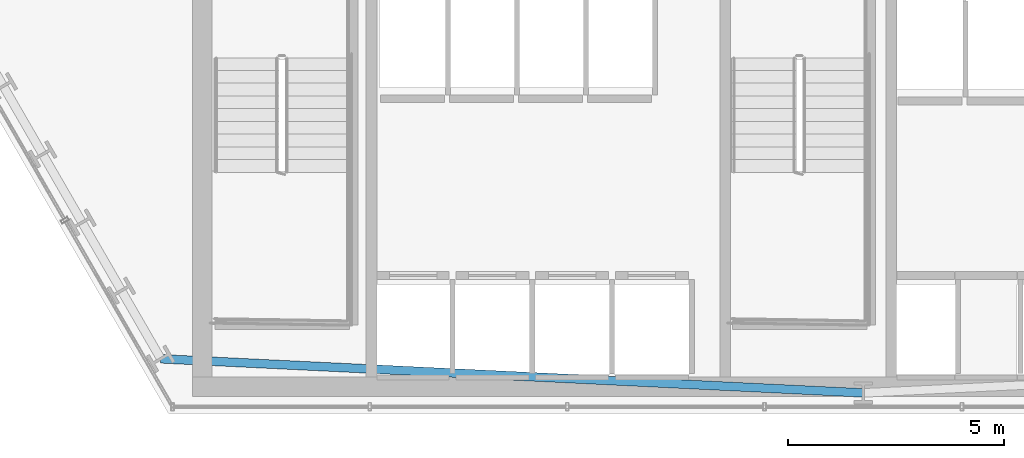
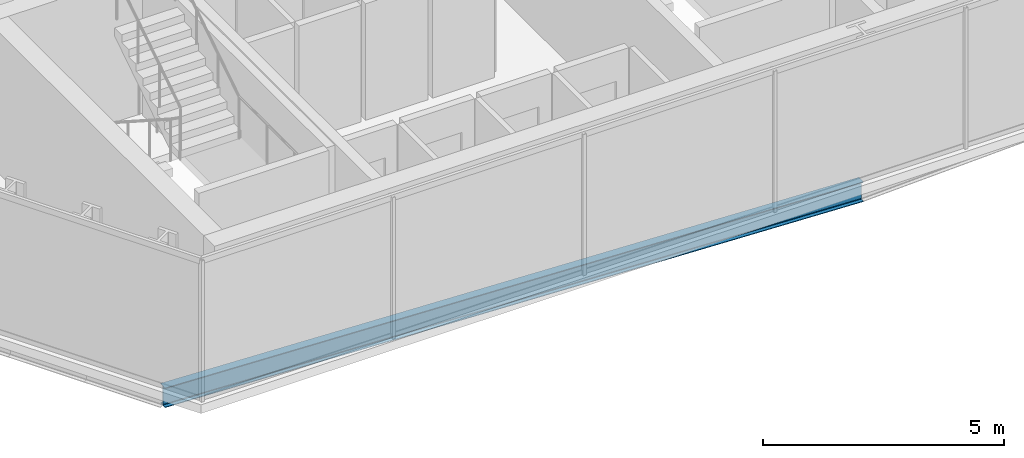
# One storey, part 4 of 32: 1 beam.
"""IFC4 building model written with IfcOpenShell, lengths in metres."""

from ifc_helpers import new_model, si_unit, direction, frame, origin, origin_2d, place, context, subcontext, project, spatial, i_section, extrude, material, material_profile, profile_set, type_object, element, save


model = new_model("IFC4")

# Units and contexts
model_context = context("Model", 3, precision=1e-05, world=origin(), true_north=direction((0.0, 1.0)))
body_context = subcontext(model_context, "Body", "Model", "MODEL_VIEW")
ifc_project = project(units=[si_unit("LENGTHUNIT", "METRE"), si_unit("AREAUNIT", "SQUARE_METRE"), si_unit("VOLUMEUNIT", "CUBIC_METRE"), si_unit("PLANEANGLEUNIT", "RADIAN"), si_unit("MASSUNIT", "GRAM", prefix="KILO")], contexts=[model_context])

# Site, building, storey
site_placement = place(None, origin())
site = spatial("IfcSite", under=ifc_project, at=site_placement, CompositionType="ELEMENT")
building_placement = place(site_placement, origin())
building = spatial("IfcBuilding", under=site, at=building_placement, Name="Ndaravel Arena Tower", CompositionType="ELEMENT")
storey_placement = place(building_placement, frame((0.0, 0.0, 74.0)))
storey = spatial("IfcBuildingStorey", under=building, at=storey_placement, Name="L16", CompositionType="ELEMENT", Elevation=74.0)

# Beam
ifc_material = material(Name="Steel S355", Category="steel")
ifc_material_profile = material_profile(ifc_material, i_section(OverallWidth=0.199951171875, OverallDepth=0.5, WebThickness=0.01025390625, FlangeThickness=0.01611328125, FilletRadius=0.02099609375, at=origin_2d()), Name="IPE 500")
ifc_profile_set = profile_set([ifc_material_profile], Name="Steel S355")
beam_type = type_object("IfcBeamType", Name="BM-SPAN-IPE500", PredefinedType="SPANDREL", material=ifc_profile_set)
beam_placement = place(storey_placement, frame((25.71337890625, 6.2705078125, -0.469970703125), z_axis=(0.99882408685, -0.048481373006, 0.0), x_axis=(0.048481373006, 0.99882408685, 0.0)))
element("IfcBeam", 1, at=beam_placement, inside=storey, type_object=beam_type, Name="L16 Perimeter Spandrel Beam SP-27", PredefinedType="SPANDREL", context=body_context, shape_type="SweptSolid", body=[
    extrude(i_section(OverallWidth=0.199951171875, OverallDepth=0.5, WebThickness=0.01025390625, FlangeThickness=0.01611328125, FilletRadius=0.02099609375, at=origin_2d()), origin(), (0.0, 0.0, 1.0), 16.305908203125),
])

save(model, "model.ifc")
